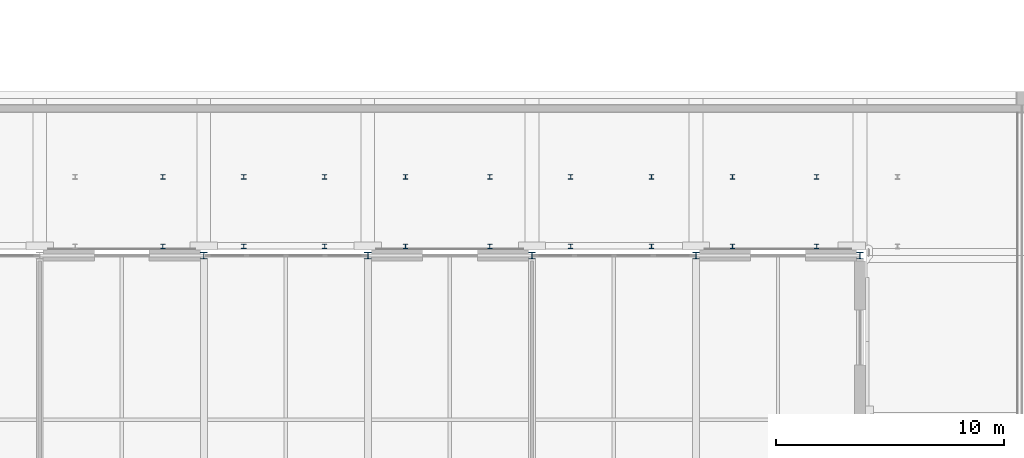
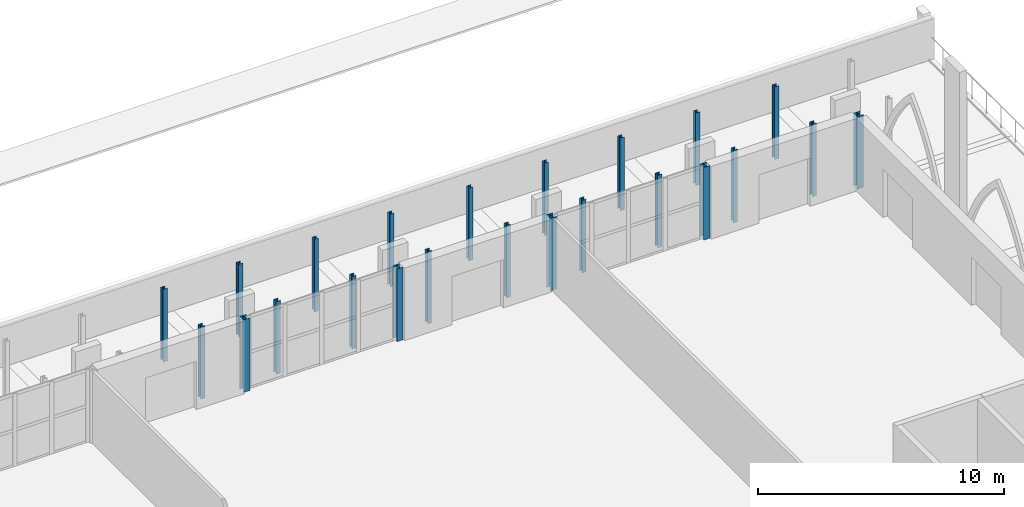
# One storey, part 28 of 143: 23 columns.
"""IFC4 building model written with IfcOpenShell, lengths in metres."""

from ifc_helpers import new_model, si_unit, direction, frame, origin, origin_2d, place, context, subcontext, project, spatial, i_section, extrude, material, material_profile, profile_set, type_object, element, save


model = new_model("IFC4")

# Units and contexts
model_context = context("Model", 3, precision=1e-05, world=origin(), true_north=direction((0.0, 1.0)))
body_context = subcontext(model_context, "Body", "Model", "MODEL_VIEW")
ifc_project = project(units=[si_unit("LENGTHUNIT", "METRE"), si_unit("AREAUNIT", "SQUARE_METRE"), si_unit("VOLUMEUNIT", "CUBIC_METRE"), si_unit("PLANEANGLEUNIT", "RADIAN"), si_unit("MASSUNIT", "GRAM", prefix="KILO")], contexts=[model_context])

# Site, building, storey
site_placement = place(None, origin())
site = spatial("IfcSite", under=ifc_project, at=site_placement, CompositionType="ELEMENT")
building_placement = place(site_placement, origin())
building = spatial("IfcBuilding", under=site, at=building_placement, Name="Kupolbacken Congress Centre", CompositionType="ELEMENT")
storey_placement = place(building_placement, frame((0.0, 0.0, 7.199951171875)))
storey = spatial("IfcBuildingStorey", under=building, at=storey_placement, Name="L02", CompositionType="ELEMENT", Elevation=7.199951171875)

# Columns
ifc_material_1 = material(Name="Steel S355", Category="steel")
ifc_material_profile_1 = material_profile(ifc_material_1, i_section(OverallWidth=0.300048828125, OverallDepth=0.300048828125, WebThickness=0.010986328125, FlangeThickness=0.01904296875, FilletRadius=0.027099609375, at=origin_2d()), Name="HEB 300")
ifc_profile_set_1 = profile_set([ifc_material_profile_1], Name="Steel S355")
column_type_1 = type_object("IfcColumnType", Name="C06 column HEB 300", PredefinedType="COLUMN", material=ifc_profile_set_1)
for number, where, z_axis, x_axis, name in (
    (1, (172.800048828125, 151.199951171875, 0.0), (0.0, 0.0, 1.0), (1.0, 0.0, 0.0), "S/col/C-B-B4N/L02"),
    (2, (180.0, 151.199951171875, 0.0), (0.0, 0.0, 1.0), (1.0, 0.0, 0.0), "S/col/C-B-B5N/L02"),
    (3, (187.199951171875, 151.199951171875, 0.0), (0.0, 0.0, 1.0), (1.0, 0.0, 0.0), "S/col/C-B-B6N/L02"),
    (4, (194.39990234375, 151.199951171875, 0.0), (0.0, 0.0, 1.0), (1.0, 0.0, 0.0), "S/col/C-B-B7N/L02"),
    (5, (201.60009765625, 151.199951171875, 0.0), (0.0, 0.0, 1.0), (1.0, 0.0, 0.0), "S/col/C-B-B8N/L02"),
):
    element("IfcColumn", number, at=place(storey_placement, frame(where, z_axis=z_axis, x_axis=x_axis)), inside=storey, type_object=column_type_1, Name=name, PredefinedType="COLUMN", context=body_context, shape_type="SweptSolid", body=[
        extrude(i_section(OverallWidth=0.300048828125, OverallDepth=0.300048828125, WebThickness=0.010986328125, FlangeThickness=0.01904296875, FilletRadius=0.027099609375, at=origin_2d()), origin(), (0.0, 0.0, 1.0), 3.60009765625),
    ])
ifc_material_2 = material(Name="Steel S355", Category="steel")
ifc_material_profile_2 = material_profile(ifc_material_2, i_section(OverallWidth=0.199951171875, OverallDepth=0.199951171875, WebThickness=0.009033203125, FlangeThickness=0.014892578125, FilletRadius=0.01806640625, at=origin_2d()), Name="HEB 200")
ifc_profile_set_2 = profile_set([ifc_material_profile_2], Name="Steel S355")
column_type_2 = type_object("IfcColumnType", Name="C11 column HEB 200", PredefinedType="COLUMN", material=ifc_profile_set_2)
for number, where, z_axis, x_axis, name in (
    (6, (171.0, 151.60009765625, 0.0), (0.0, 0.0, 1.0), (1.0, 0.0, 0.0), "Covered passage column"),
    (7, (171.0, 154.64990234375, 0.0), (0.0, 0.0, 1.0), (1.0, 0.0, 0.0), "Covered passage column"),
    (8, (174.550048828125, 151.60009765625, 0.0), (0.0, 0.0, 1.0), (1.0, 0.0, 0.0), "Covered passage column"),
    (9, (174.550048828125, 154.64990234375, 0.0), (0.0, 0.0, 1.0), (1.0, 0.0, 0.0), "Covered passage column"),
    (10, (178.10009765625, 151.60009765625, 0.0), (0.0, 0.0, 1.0), (1.0, 0.0, 0.0), "Covered passage column"),
    (11, (178.10009765625, 154.64990234375, 0.0), (0.0, 0.0, 1.0), (1.0, 0.0, 0.0), "Covered passage column"),
    (12, (181.64990234375, 151.60009765625, 0.0), (0.0, 0.0, 1.0), (1.0, 0.0, 0.0), "Covered passage column"),
    (13, (181.64990234375, 154.64990234375, 0.0), (0.0, 0.0, 1.0), (1.0, 0.0, 0.0), "Covered passage column"),
    (14, (185.35009765625, 151.60009765625, 0.0), (0.0, 0.0, 1.0), (1.0, 0.0, 0.0), "Covered passage column"),
    (15, (185.35009765625, 154.64990234375, 0.0), (0.0, 0.0, 1.0), (1.0, 0.0, 0.0), "Covered passage column"),
    (16, (188.89990234375, 151.60009765625, 0.0), (0.0, 0.0, 1.0), (1.0, 0.0, 0.0), "Covered passage column"),
    (17, (188.89990234375, 154.64990234375, 0.0), (0.0, 0.0, 1.0), (1.0, 0.0, 0.0), "Covered passage column"),
    (18, (192.449951171875, 151.60009765625, 0.0), (0.0, 0.0, 1.0), (1.0, 0.0, 0.0), "Covered passage column"),
    (19, (192.449951171875, 154.64990234375, 0.0), (0.0, 0.0, 1.0), (1.0, 0.0, 0.0), "Covered passage column"),
    (20, (196.0, 151.60009765625, 0.0), (0.0, 0.0, 1.0), (1.0, 0.0, 0.0), "Covered passage column"),
    (21, (196.0, 154.64990234375, 0.0), (0.0, 0.0, 1.0), (1.0, 0.0, 0.0), "Covered passage column"),
    (22, (199.699951171875, 151.60009765625, 0.0), (0.0, 0.0, 1.0), (1.0, 0.0, 0.0), "Covered passage column"),
    (23, (199.699951171875, 154.64990234375, 0.0), (0.0, 0.0, 1.0), (1.0, 0.0, 0.0), "Covered passage column"),
):
    element("IfcColumn", number, at=place(storey_placement, frame(where, z_axis=z_axis, x_axis=x_axis)), inside=storey, type_object=column_type_2, Name=name, PredefinedType="COLUMN", context=body_context, shape_type="SweptSolid", body=[
        extrude(i_section(OverallWidth=0.199951171875, OverallDepth=0.199951171875, WebThickness=0.009033203125, FlangeThickness=0.014892578125, FilletRadius=0.01806640625, at=origin_2d()), origin(), (0.0, 0.0, 1.0), 3.60009765625),
    ])

save(model, "model.ifc")
